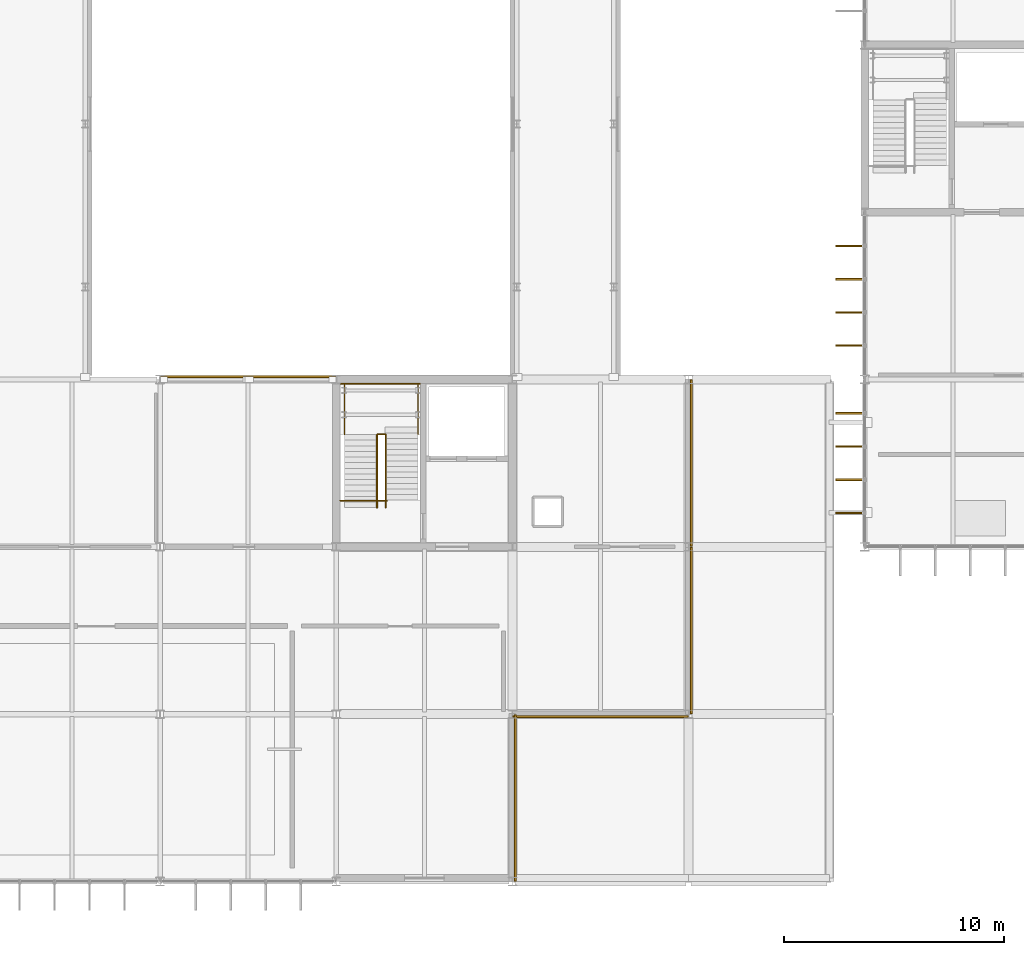
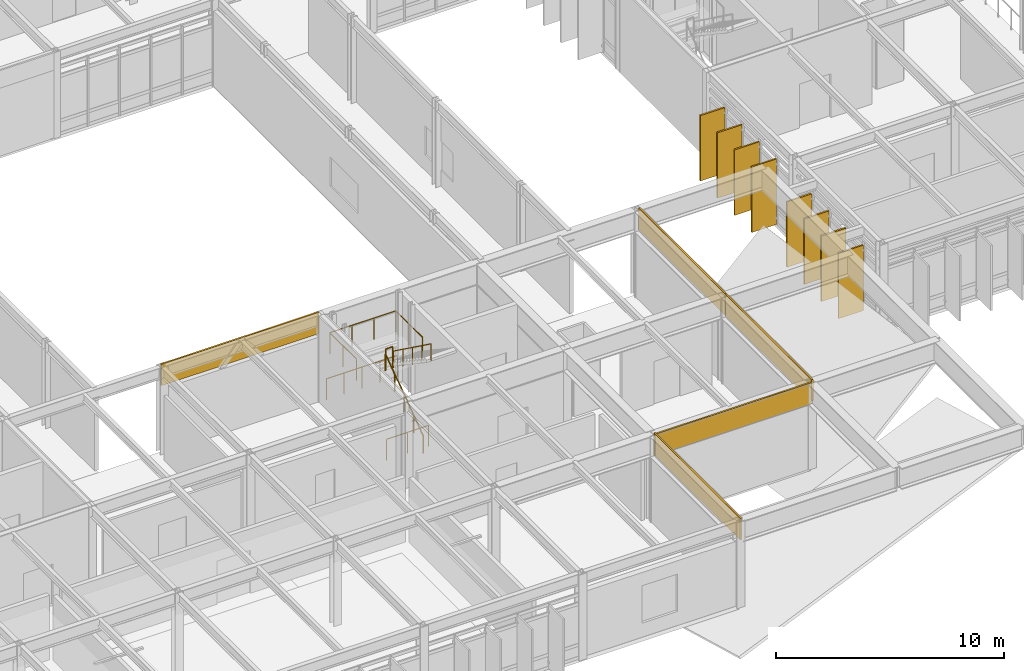
# One storey, part 96 of 104: 8 shading devices, 6 railings, 5 coverings.
"""IFC4 building model written with IfcOpenShell, lengths in metres."""

from ifc_helpers import new_model, si_unit, direction, frame, origin, origin_2d, place, context, subcontext, project, spatial, rectangle, circle, extrude, material, layer, layer_set, type_object, element, save


model = new_model("IFC4")

# Units and contexts
model_context = context("Model", 3, precision=1e-05, world=origin(), true_north=direction((0.0, 1.0)))
body_context = subcontext(model_context, "Body", "Model", "MODEL_VIEW")
ifc_project = project(units=[si_unit("LENGTHUNIT", "METRE"), si_unit("AREAUNIT", "SQUARE_METRE"), si_unit("VOLUMEUNIT", "CUBIC_METRE"), si_unit("PLANEANGLEUNIT", "RADIAN"), si_unit("MASSUNIT", "GRAM", prefix="KILO")], contexts=[model_context])

# Site, building, storey
site_placement = place(None, origin())
site = spatial("IfcSite", under=ifc_project, at=site_placement, CompositionType="ELEMENT")
building_placement = place(site_placement, origin())
building = spatial("IfcBuilding", under=site, at=building_placement, Name="Zulena Civic Courthouse", CompositionType="ELEMENT")
storey_placement = place(building_placement, frame((0.0, 0.0, 10.800048828125)))
storey = spatial("IfcBuildingStorey", under=building, at=storey_placement, Name="L02", CompositionType="ELEMENT", Elevation=10.800048828125)

# Shading devices
ifc_material_1 = material(Name="Gold anodised architectural aluminium AA6063-T6", Category="aluminium")
shading_device_type = type_object("IfcShadingDeviceType", Name="GoldSolarFin_350", PredefinedType="USERDEFINED", material=ifc_material_1)
for number, where, z_axis, x_axis, name in (
    (1, (67.31494140625, 16.738037109375, 0.050048828125), (0.0, 0.0, 1.0), (-1.0, 0.0, 0.0), "fin:V4:L02:0:0:1"),
    (2, (67.31494140625, 18.24609375, 0.050048828125), (0.0, 0.0, 1.0), (-1.0, 0.0, 0.0), "fin:V4:L02:0:0:2"),
    (3, (67.31494140625, 19.75390625, 0.050048828125), (0.0, 0.0, 1.0), (-1.0, 0.0, 0.0), "fin:V4:L02:0:0:3"),
    (4, (67.31494140625, 21.261962890625, 0.050048828125), (0.0, 0.0, 1.0), (-1.0, 0.0, 0.0), "fin:V4:L02:0:0:4"),
    (5, (67.31494140625, 24.337890625, 0.050048828125), (0.0, 0.0, 1.0), (-1.0, 0.0, 0.0), "fin:V4:L02:0:1:1"),
    (6, (67.31494140625, 25.845947265625, 0.050048828125), (0.0, 0.0, 1.0), (-1.0, 0.0, 0.0), "fin:V4:L02:0:1:2"),
    (7, (67.31494140625, 27.35400390625, 0.050048828125), (0.0, 0.0, 1.0), (-1.0, 0.0, 0.0), "fin:V4:L02:0:1:3"),
    (8, (67.31494140625, 28.862060546875, 0.050048828125), (0.0, 0.0, 1.0), (-1.0, 0.0, 0.0), "fin:V4:L02:0:1:4"),
):
    element("IfcShadingDevice", number, at=place(storey_placement, frame(where, z_axis=z_axis, x_axis=x_axis)), inside=storey, type_object=shading_device_type, Name=name, ObjectType="FIN", PredefinedType="USERDEFINED", context=body_context, shape_type="SweptSolid", body=[
        extrude(rectangle(XDim=1.25, YDim=0.080078125, at=origin_2d()), origin(), (0.0, 0.0, 1.0), 3.5),
    ])

# Railings
ifc_material_2 = material(Name="Brushed architectural steel ASTM A36", Category="steel")
railing_type_1 = type_object("IfcRailingType", Name="InteriorGuardrail_1150", PredefinedType="GUARDRAIL", material=ifc_material_2)
railing_1_placement = place(storey_placement, frame((44.199951171875, 22.610107421875, 0.0)))
element("IfcRailing", 9, at=railing_1_placement, inside=storey, type_object=railing_type_1, Name="gr:wellN:K2B:L01", PredefinedType="GUARDRAIL", context=body_context, shape_type="SweptSolid", body=[
    extrude(circle(Radius=0.02392578125, at=origin_2d()), frame((0.00390625, 0.0, 1.1259765625), z_axis=(1.0, 0.0, 0.0), x_axis=(0.0, 1.0, 0.0)), (0.0, 0.0, 1.0), 3.592041015625),
    extrude(circle(Radius=0.02099609375, at=origin_2d()), origin(), (0.0, 0.0, 1.0), 1.097900390625),
    extrude(circle(Radius=0.02099609375, at=origin_2d()), frame((0.89990234375, 0.0, 0.0)), (0.0, 0.0, 1.0), 1.097900390625),
    extrude(circle(Radius=0.02099609375, at=origin_2d()), frame((1.800048828125, 0.0, 0.0)), (0.0, 0.0, 1.0), 1.097900390625),
    extrude(circle(Radius=0.02099609375, at=origin_2d()), frame((2.7001953125, 0.0, 0.0)), (0.0, 0.0, 1.0), 1.097900390625),
    extrude(circle(Radius=0.02099609375, at=origin_2d()), frame((3.60009765625, 0.0, 0.0)), (0.0, 0.0, 1.0), 1.097900390625),
])
railing_2_placement = place(storey_placement, frame((44.179931640625, 17.300048828125, 0.0)))
element("IfcRailing", 10, at=railing_2_placement, inside=storey, type_object=railing_type_1, Name="gr:wells:K2B:L02", PredefinedType="GUARDRAIL", context=body_context, shape_type="SweptSolid", body=[
    extrude(circle(Radius=0.02392578125, at=origin_2d()), frame((0.00390625, 0.0, 1.1259765625), z_axis=(1.0, 0.0, 0.0), x_axis=(0.0, 1.0, 0.0)), (0.0, 0.0, 1.0), 2.112060546875),
    extrude(circle(Radius=0.02099609375, at=origin_2d()), origin(), (0.0, 0.0, 1.0), 1.097900390625),
    extrude(circle(Radius=0.02099609375, at=origin_2d()), frame((1.06005859375, 0.0, 0.0)), (0.0, 0.0, 1.0), 1.097900390625),
    extrude(circle(Radius=0.02099609375, at=origin_2d()), frame((2.1201171875, 0.0, 0.0)), (0.0, 0.0, 1.0), 1.097900390625),
])
railing_3_placement = place(storey_placement, frame((44.3798828125, 20.294677734375, 2.39990234375)))
element("IfcRailing", 11, at=railing_3_placement, inside=storey, type_object=railing_type_1, Name="gr:lnd:K2B:L02", PredefinedType="GUARDRAIL", context=body_context, shape_type="SweptSolid", body=[
    extrude(circle(Radius=0.02392578125, at=origin_2d()), frame((0.0, 0.00390625, 1.1259765625), z_axis=(0.0, 1.0, 0.0), x_axis=(-1.0, 0.0, 0.0)), (0.0, 0.0, 1.0), 2.3173828125),
    extrude(circle(Radius=0.02392578125, at=origin_2d()), frame((0.00390625, 2.325439453125, 1.1259765625), z_axis=(1.0, 0.0, 0.0), x_axis=(0.0, 1.0, 0.0)), (0.0, 0.0, 1.0), 3.33203125),
    extrude(circle(Radius=0.02392578125, at=origin_2d()), frame((3.340087890625, 2.321533203125, 1.1259765625), z_axis=(0.0, -1.0, 0.0), x_axis=(1.0, 0.0, 0.0)), (0.0, 0.0, 1.0), 2.3173828125),
    extrude(circle(Radius=0.02099609375, at=origin_2d()), origin(), (0.0, 0.0, 1.0), 1.097900390625),
    extrude(circle(Radius=0.02099609375, at=origin_2d()), frame((0.0, 1.16259765625, 0.0)), (0.0, 0.0, 1.0), 1.097900390625),
    extrude(circle(Radius=0.02099609375, at=origin_2d()), frame((0.0, 2.325439453125, 0.0)), (0.0, 0.0, 1.0), 1.097900390625),
    extrude(circle(Radius=0.02099609375, at=origin_2d()), frame((1.11328125, 2.325439453125, 0.0)), (0.0, 0.0, 1.0), 1.097900390625),
    extrude(circle(Radius=0.02099609375, at=origin_2d()), frame((2.226806640625, 2.325439453125, 0.0)), (0.0, 0.0, 1.0), 1.097900390625),
    extrude(circle(Radius=0.02099609375, at=origin_2d()), frame((3.340087890625, 2.325439453125, 0.0)), (0.0, 0.0, 1.0), 1.097900390625),
    extrude(circle(Radius=0.02099609375, at=origin_2d()), frame((3.340087890625, 1.16259765625, 0.0)), (0.0, 0.0, 1.0), 1.097900390625),
    extrude(circle(Radius=0.02099609375, at=origin_2d()), frame((3.340087890625, 0.0, 0.0)), (0.0, 0.0, 1.0), 1.097900390625),
])
railing_4_placement = place(storey_placement, frame((45.8798828125, 20.31494140625, 2.39990234375)))
element("IfcRailing", 12, at=railing_4_placement, inside=storey, type_object=railing_type_1, Name="gr:lndslot:K2B:L02", PredefinedType="GUARDRAIL", context=body_context, shape_type="SweptSolid", body=[
    extrude(circle(Radius=0.02392578125, at=origin_2d()), frame((0.00390625, 0.0, 1.1259765625), z_axis=(1.0, 0.0, 0.0), x_axis=(0.0, 1.0, 0.0)), (0.0, 0.0, 1.0), 0.33203125),
    extrude(circle(Radius=0.02099609375, at=origin_2d()), origin(), (0.0, 0.0, 1.0), 1.097900390625),
    extrude(circle(Radius=0.02099609375, at=origin_2d()), frame((0.340087890625, 0.0, 0.0)), (0.0, 0.0, 1.0), 1.097900390625),
])

# Coverings
ifc_material_3 = material(Name="White architectural precast concrete C40/50", Category="concrete")
ifc_layer = layer(ifc_material_3, 0.0849609375)
ifc_layer_set = layer_set([ifc_layer], Name="White architectural precast concrete C40/50")
covering_type = type_object("IfcCoveringType", Name="PrecastSpandrelCladding_85", PredefinedType="CLADDING", material=ifc_layer_set)
covering_1_placement = place(storey_placement, frame((40.0, 22.919921875, 3.4599609375), z_axis=(0.0, 0.0, 1.0), x_axis=(1.0, 0.0, 0.0)))
element("IfcCovering", 13, at=covering_1_placement, inside=storey, type_object=covering_type, Name="clad:sp:V2:L02:1:4", PredefinedType="CLADDING", context=body_context, shape_type="SweptSolid", body=[
    extrude(rectangle(XDim=7.9599609375, YDim=0.0849609375, at=origin_2d()), origin(), (0.0, 0.0, 1.0), 1.139892578125),
])
for number, where, z_axis, x_axis, name in (
    (14, (60.1201171875, 19.0, 3.4599609375), (0.0, 0.0, 1.0), (0.0, -1.0, 0.0), "clad:sp:V2:L02:2:0"),
    (15, (60.1201171875, 11.39990234375, 3.4599609375), (0.0, 0.0, 1.0), (0.0, -1.0, 0.0), "clad:sp:V2:L02:2:1"),
):
    element("IfcCovering", number, at=place(storey_placement, frame(where, z_axis=z_axis, x_axis=x_axis)), inside=storey, type_object=covering_type, Name=name, PredefinedType="CLADDING", context=body_context, shape_type="SweptSolid", body=[
        extrude(rectangle(XDim=7.56005859375, YDim=0.0849609375, at=origin_2d()), origin(), (0.0, 0.0, 1.0), 1.139892578125),
    ])
covering_2_placement = place(storey_placement, frame((56.0, 7.47998046875, 3.4599609375), z_axis=(0.0, 0.0, 1.0), x_axis=(-1.0, 0.0, 0.0)))
element("IfcCovering", 16, at=covering_2_placement, inside=storey, type_object=covering_type, Name="clad:sp:V2:L02:3:0", PredefinedType="CLADDING", context=body_context, shape_type="SweptSolid", body=[
    extrude(rectangle(XDim=7.9599609375, YDim=0.0849609375, at=origin_2d()), origin(), (0.0, 0.0, 1.0), 1.139892578125),
])
covering_3_placement = place(storey_placement, frame((52.1201171875, 3.800048828125, 3.4599609375), z_axis=(0.0, 0.0, 1.0), x_axis=(0.0, -1.0, 0.0)))
element("IfcCovering", 17, at=covering_3_placement, inside=storey, type_object=covering_type, Name="clad:sp:V2:L02:4:0", PredefinedType="CLADDING", context=body_context, shape_type="SweptSolid", body=[
    extrude(rectangle(XDim=7.56005859375, YDim=0.0849609375, at=origin_2d()), origin(), (0.0, 0.0, 1.0), 1.139892578125),
])

# Railings
railing_type_2 = type_object("IfcRailingType", Name="StairHandrail_920", PredefinedType="HANDRAIL", material=ifc_material_2)
railing_5_placement = place(storey_placement, frame((45.85009765625, 16.97998046875, 0.0)))
element("IfcRailing", 18, at=railing_5_placement, inside=storey, type_object=railing_type_2, Name="hr:K2B:L02:1", PredefinedType="HANDRAIL", context=body_context, shape_type="SweptSolid", body=[
    extrude(circle(Radius=0.02392578125, at=origin_2d()), frame((0.0, 0.003173828125, 0.898193359375), z_axis=(0.0, 0.80998804985, 0.586446382119), x_axis=(-1.0, 0.0, 0.0)), (0.0, 0.0, 1.0), 4.084228515625),
    extrude(circle(Radius=0.02099609375, at=origin_2d()), origin(), (0.0, 0.0, 1.0), 0.867919921875),
    extrude(circle(Radius=0.02099609375, at=origin_2d()), frame((0.0, 0.82861328125, 0.60009765625)), (0.0, 0.0, 1.0), 0.867919921875),
    extrude(circle(Radius=0.02099609375, at=origin_2d()), frame((0.0, 1.6572265625, 1.199951171875)), (0.0, 0.0, 1.0), 0.867919921875),
    extrude(circle(Radius=0.02099609375, at=origin_2d()), frame((0.0, 2.486083984375, 1.7998046875)), (0.0, 0.0, 1.0), 0.867919921875),
    extrude(circle(Radius=0.02099609375, at=origin_2d()), frame((0.0, 3.314697265625, 2.39990234375)), (0.0, 0.0, 1.0), 0.867919921875),
])
railing_6_placement = place(storey_placement, frame((46.25, 20.294677734375, 2.39990234375)))
element("IfcRailing", 19, at=railing_6_placement, inside=storey, type_object=railing_type_2, Name="hr:K2B:L02:2", PredefinedType="HANDRAIL", context=body_context, shape_type="SweptSolid", body=[
    extrude(circle(Radius=0.02392578125, at=origin_2d()), frame((0.0, -0.003173828125, 0.898193359375), z_axis=(0.0, -0.809959711079, 0.586485521074), x_axis=(1.0, 0.0, 0.0)), (0.0, 0.0, 1.0), 4.08447265625),
    extrude(circle(Radius=0.02099609375, at=origin_2d()), origin(), (0.0, 0.0, 1.0), 0.867919921875),
    extrude(circle(Radius=0.02099609375, at=origin_2d()), frame((0.0, -0.82861328125, 0.60009765625)), (0.0, 0.0, 1.0), 0.867919921875),
    extrude(circle(Radius=0.02099609375, at=origin_2d()), frame((0.0, -1.6572265625, 1.2001953125)), (0.0, 0.0, 1.0), 0.867919921875),
    extrude(circle(Radius=0.02099609375, at=origin_2d()), frame((0.0, -2.486083984375, 1.800048828125)), (0.0, 0.0, 1.0), 0.867919921875),
    extrude(circle(Radius=0.02099609375, at=origin_2d()), frame((0.0, -3.314697265625, 2.400146484375)), (0.0, 0.0, 1.0), 0.867919921875),
])

save(model, "model.ifc")
